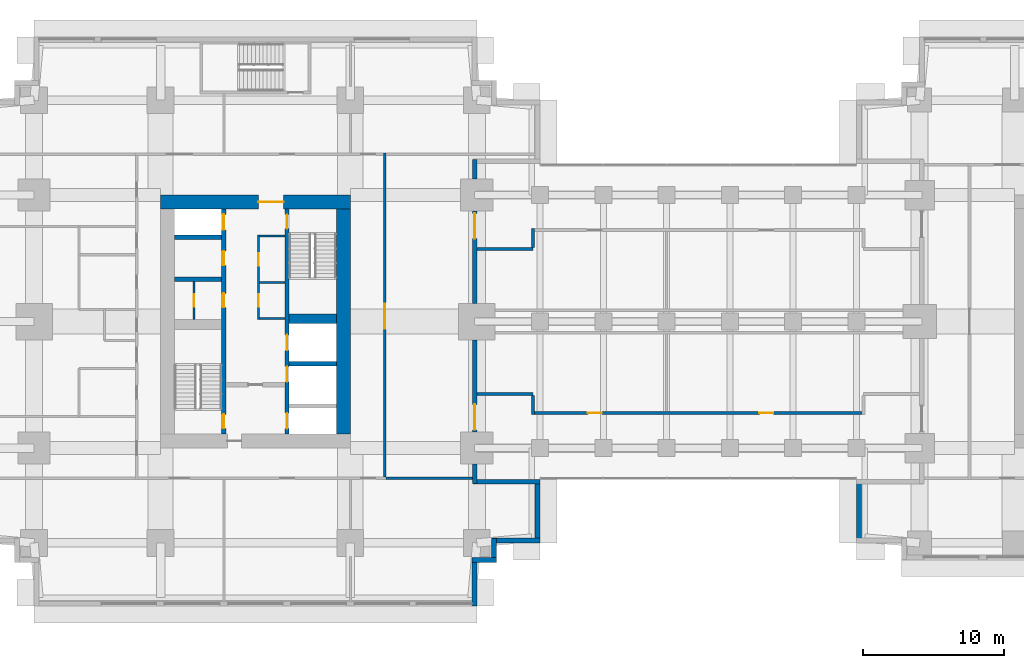
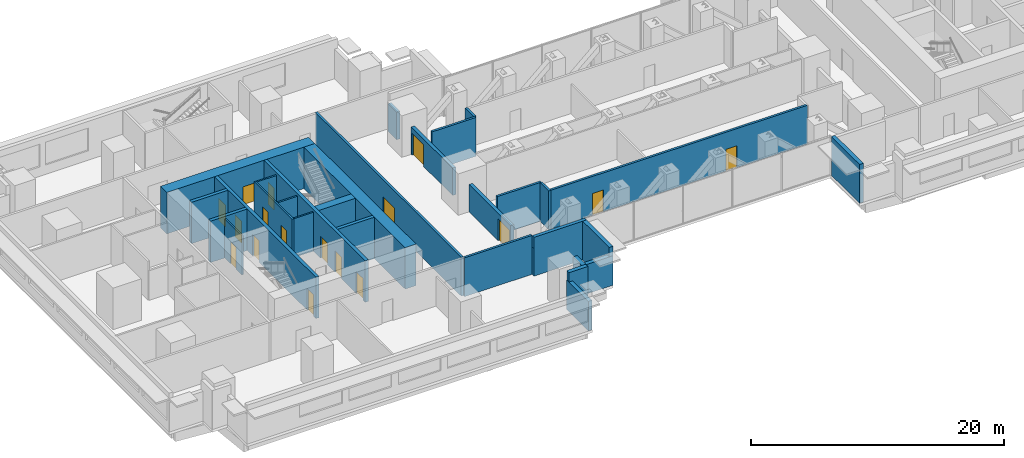
# One storey, part 8 of 16: 31 walls, 17 doors, 17 openings.
"""IFC4 building model written with IfcOpenShell, lengths in metres."""

from ifc_helpers import new_model, si_unit, direction, frame, frame_2d, origin, place, context, subcontext, project, spatial, rectangle, extrude, material, layer, layer_set, type_object, element, fill, save


model = new_model("IFC4")

# Units and contexts
model_context = context("Model", 3, precision=1e-05, world=origin(), true_north=direction((0.0, 1.0)))
body_context = subcontext(model_context, "Body", "Model", "MODEL_VIEW")
ifc_project = project(units=[si_unit("LENGTHUNIT", "METRE"), si_unit("AREAUNIT", "SQUARE_METRE"), si_unit("VOLUMEUNIT", "CUBIC_METRE"), si_unit("PLANEANGLEUNIT", "RADIAN"), si_unit("MASSUNIT", "GRAM", prefix="KILO")], contexts=[model_context])

# Site, building, storey
site_placement = place(None, origin())
site = spatial("IfcSite", under=ifc_project, at=site_placement, CompositionType="ELEMENT")
building_placement = place(site_placement, origin())
building = spatial("IfcBuilding", under=site, at=building_placement, Name="Namib Vertical Campus", CompositionType="ELEMENT")
storey_placement = place(building_placement, frame((0.0, 0.0, 117.0)))
storey = spatial("IfcBuildingStorey", under=building, at=storey_placement, Name="L27", CompositionType="ELEMENT", Elevation=117.0)

# Wall, openings, doors
ifc_material_1 = material(Name="Concrete C60/75", Category="concrete")
ifc_layer_1 = layer(ifc_material_1, 0.300048828125)
ifc_layer_set_1 = layer_set([ifc_layer_1], Name="Concrete C60/75")
wall_type_1 = type_object("IfcWallType", Name="Core inner wall 300", PredefinedType="SHEAR", material=ifc_layer_set_1)
wall_1_placement = place(storey_placement, frame((18.0, 12.25, 0.0), z_axis=(0.0, 0.0, 1.0), x_axis=(0.0, 1.0, 0.0)))
wall_1 = element("IfcWall", 1, at=wall_1_placement, inside=storey, type_object=wall_type_1, Name="Core inner wall A L27 W1", PredefinedType="SHEAR", context=body_context, shape_type="SweptSolid", body=[
    extrude(rectangle(XDim=16.0, YDim=0.300048828125, at=frame_2d((8.0, 0.0))), origin(), (0.0, 0.0, 1.0), 4.0),
])
opening_1_placement = place(wall_1_placement, frame((0.39990234375, 0.0, 0.0)))
opening_1 = element("IfcOpeningElement", 2, at=opening_1_placement, cuts=wall_1, Name="Opening FD1", PredefinedType="OPENING", context=body_context, shape_type="SweptSolid", body=[
    extrude(rectangle(XDim=1.0, YDim=2.10009765625, at=frame_2d((0.5, 1.050048828125))), frame((0.0, 0.159912109375, 0.0), z_axis=(0.0, -1.0, 0.0), x_axis=(1.0, 0.0, 0.0)), (0.0, 0.0, 1.0), 0.320068359375),
])
opening_2_placement = place(wall_1_placement, frame((14.52490234375, 0.0, 0.0)))
opening_2 = element("IfcOpeningElement", 3, at=opening_2_placement, cuts=wall_1, Name="Opening LD1", PredefinedType="OPENING", context=body_context, shape_type="SweptSolid", body=[
    extrude(rectangle(XDim=1.10009765625, YDim=2.10009765625, at=frame_2d((0.550048828125, 1.050048828125))), frame((0.0, 0.159912109375, 0.0), z_axis=(0.0, -1.0, 0.0), x_axis=(1.0, 0.0, 0.0)), (0.0, 0.0, 1.0), 0.320068359375),
])
opening_3_placement = place(wall_1_placement, frame((9.0, 0.0, 0.0)))
opening_3 = element("IfcOpeningElement", 4, at=opening_3_placement, cuts=wall_1, Name="Opening D1", PredefinedType="OPENING", context=body_context, shape_type="SweptSolid", body=[
    extrude(rectangle(XDim=1.0, YDim=2.10009765625, at=frame_2d((0.5, 1.050048828125))), frame((0.0, 0.159912109375, 0.0), z_axis=(0.0, -1.0, 0.0), x_axis=(1.0, 0.0, 0.0)), (0.0, 0.0, 1.0), 0.320068359375),
])
opening_4_placement = place(wall_1_placement, frame((12.0, 0.0, 0.0)))
opening_4 = element("IfcOpeningElement", 5, at=opening_4_placement, cuts=wall_1, Name="Opening D1", PredefinedType="OPENING", context=body_context, shape_type="SweptSolid", body=[
    extrude(rectangle(XDim=1.0, YDim=2.10009765625, at=frame_2d((0.5, 1.050048828125))), frame((0.0, 0.159912109375, 0.0), z_axis=(0.0, -1.0, 0.0), x_axis=(1.0, 0.0, 0.0)), (0.0, 0.0, 1.0), 0.320068359375),
])
ifc_material_2 = material(Name="Timber door leaf", Category="wood")
door_type_1 = type_object("IfcDoorType", Name="Door single 1000x2100", OperationType="SINGLE_SWING_LEFT", PredefinedType="DOOR", material=ifc_material_2)
door_1_placement = place(opening_3_placement, origin())
door_1 = element("IfcDoor", 6, at=door_1_placement, inside=storey, type_object=door_type_1, Name="Door D1 Store A L27 P1", OperationType="SINGLE_SWING_LEFT", OverallHeight=2.10009765625, OverallWidth=1.0, PredefinedType="DOOR", context=body_context, shape_type="SweptSolid", body=[
    extrude(rectangle(XDim=1.0, YDim=2.10009765625, at=frame_2d((0.5, 1.050048828125))), frame((0.0, 0.02490234375, 0.0), z_axis=(0.0, -1.0, 0.0), x_axis=(1.0, 0.0, 0.0)), (0.0, 0.0, 1.0), 0.050048828125),
])
fill(opening_3, door_1)
door_2_placement = place(opening_4_placement, origin())
door_2 = element("IfcDoor", 7, at=door_2_placement, inside=storey, type_object=door_type_1, Name="Door D1 Cleaners' store A L27 P2", OperationType="SINGLE_SWING_LEFT", OverallHeight=2.10009765625, OverallWidth=1.0, PredefinedType="DOOR", context=body_context, shape_type="SweptSolid", body=[
    extrude(rectangle(XDim=1.0, YDim=2.10009765625, at=frame_2d((0.5, 1.050048828125))), frame((0.0, 0.02490234375, 0.0), z_axis=(0.0, -1.0, 0.0), x_axis=(1.0, 0.0, 0.0)), (0.0, 0.0, 1.0), 0.050048828125),
])
fill(opening_4, door_2)
ifc_material_3 = material(Name="Steel fire door", Category="steel")
door_type_2 = type_object("IfcDoorType", Name="Fire door 1000x2100", OperationType="SINGLE_SWING_RIGHT", PredefinedType="DOOR", material=ifc_material_3)
door_3_placement = place(opening_1_placement, origin())
door_3 = element("IfcDoor", 8, at=door_3_placement, inside=storey, type_object=door_type_2, Name="Stair door FD1 A L27 S1", OperationType="SINGLE_SWING_LEFT", OverallHeight=2.10009765625, OverallWidth=1.0, PredefinedType="DOOR", context=body_context, shape_type="SweptSolid", body=[
    extrude(rectangle(XDim=1.0, YDim=2.10009765625, at=frame_2d((0.5, 1.050048828125))), frame((0.0, 0.02490234375, 0.0), z_axis=(0.0, -1.0, 0.0), x_axis=(1.0, 0.0, 0.0)), (0.0, 0.0, 1.0), 0.050048828125),
])
fill(opening_1, door_3)
ifc_material_4 = material(Name="Stainless steel lift door", Category="steel")
door_type_3 = type_object("IfcDoorType", Name="Lift landing door 1100x2100", OperationType="DOUBLE_DOOR_SLIDING", PredefinedType="DOOR", material=ifc_material_4)
door_4_placement = place(opening_2_placement, origin())
door_4 = element("IfcDoor", 9, at=door_4_placement, inside=storey, type_object=door_type_3, Name="Lift landing door LD1 A-P3 L27", OperationType="DOUBLE_DOOR_SLIDING", OverallHeight=2.10009765625, OverallWidth=1.10009765625, PredefinedType="DOOR", context=body_context, shape_type="SweptSolid", body=[
    extrude(rectangle(XDim=1.10009765625, YDim=2.10009765625, at=frame_2d((0.550048828125, 1.050048828125))), frame((0.0, 0.02490234375, 0.0), z_axis=(0.0, -1.0, 0.0), x_axis=(1.0, 0.0, 0.0)), (0.0, 0.0, 1.0), 0.050048828125),
])
fill(opening_2, door_4)

wall_2_placement = place(storey_placement, frame((22.5, 12.25, 0.0), z_axis=(0.0, 0.0, 1.0), x_axis=(0.0, 1.0, 0.0)))
wall_2 = element("IfcWall", 10, at=wall_2_placement, inside=storey, type_object=wall_type_1, Name="Core inner wall A L27 W2", PredefinedType="SHEAR", context=body_context, shape_type="SweptSolid", body=[
    extrude(rectangle(XDim=16.0, YDim=0.300048828125, at=frame_2d((8.0, 0.0))), origin(), (0.0, 0.0, 1.0), 4.0),
])
opening_5_placement = place(wall_2_placement, frame((14.60009765625, 0.0, 0.0)))
opening_5 = element("IfcOpeningElement", 11, at=opening_5_placement, cuts=wall_2, Name="Opening FD1", PredefinedType="OPENING", context=body_context, shape_type="SweptSolid", body=[
    extrude(rectangle(XDim=1.0, YDim=2.10009765625, at=frame_2d((0.5, 1.050048828125))), frame((0.0, 0.159912109375, 0.0), z_axis=(0.0, -1.0, 0.0), x_axis=(1.0, 0.0, 0.0)), (0.0, 0.0, 1.0), 0.320068359375),
])
opening_6_placement = place(wall_2_placement, frame((0.375, 0.0, 0.0)))
opening_6 = element("IfcOpeningElement", 12, at=opening_6_placement, cuts=wall_2, Name="Opening LD1", PredefinedType="OPENING", context=body_context, shape_type="SweptSolid", body=[
    extrude(rectangle(XDim=1.10009765625, YDim=2.10009765625, at=frame_2d((0.550048828125, 1.050048828125))), frame((0.0, 0.159912109375, 0.0), z_axis=(0.0, -1.0, 0.0), x_axis=(1.0, 0.0, 0.0)), (0.0, 0.0, 1.0), 0.320068359375),
])
opening_7_placement = place(wall_2_placement, frame((3.699951171875, 0.0, 0.0)))
opening_7 = element("IfcOpeningElement", 13, at=opening_7_placement, cuts=wall_2, Name="Opening LD1", PredefinedType="OPENING", context=body_context, shape_type="SweptSolid", body=[
    extrude(rectangle(XDim=1.10009765625, YDim=2.10009765625, at=frame_2d((0.550048828125, 1.050048828125))), frame((0.0, 0.159912109375, 0.0), z_axis=(0.0, -1.0, 0.0), x_axis=(1.0, 0.0, 0.0)), (0.0, 0.0, 1.0), 0.320068359375),
])
opening_8_placement = place(wall_2_placement, frame((5.949951171875, 0.0, 0.0)))
opening_8 = element("IfcOpeningElement", 14, at=opening_8_placement, cuts=wall_2, Name="Opening LD1", PredefinedType="OPENING", context=body_context, shape_type="SweptSolid", body=[
    extrude(rectangle(XDim=1.10009765625, YDim=2.10009765625, at=frame_2d((0.550048828125, 1.050048828125))), frame((0.0, 0.159912109375, 0.0), z_axis=(0.0, -1.0, 0.0), x_axis=(1.0, 0.0, 0.0)), (0.0, 0.0, 1.0), 0.320068359375),
])
door_5_placement = place(opening_5_placement, frame((1.0, 0.0, 0.0), z_axis=(0.0, 0.0, 1.0), x_axis=(-1.0, 0.0, 0.0)))
door_5 = element("IfcDoor", 15, at=door_5_placement, inside=storey, type_object=door_type_2, Name="Stair door FD1 A L27 S2", OperationType="SINGLE_SWING_LEFT", OverallHeight=2.10009765625, OverallWidth=1.0, PredefinedType="DOOR", context=body_context, shape_type="SweptSolid", body=[
    extrude(rectangle(XDim=1.0, YDim=2.10009765625, at=frame_2d((0.5, 1.050048828125))), frame((0.0, 0.02490234375, 0.0), z_axis=(0.0, -1.0, 0.0), x_axis=(1.0, 0.0, 0.0)), (0.0, 0.0, 1.0), 0.050048828125),
])
fill(opening_5, door_5)
door_6_placement = place(opening_6_placement, origin())
door_6 = element("IfcDoor", 16, at=door_6_placement, inside=storey, type_object=door_type_3, Name="Lift landing door LD1 A-FL1 L27", OperationType="DOUBLE_DOOR_SLIDING", OverallHeight=2.10009765625, OverallWidth=1.10009765625, PredefinedType="DOOR", context=body_context, shape_type="SweptSolid", body=[
    extrude(rectangle(XDim=1.10009765625, YDim=2.10009765625, at=frame_2d((0.550048828125, 1.050048828125))), frame((0.0, 0.02490234375, 0.0), z_axis=(0.0, -1.0, 0.0), x_axis=(1.0, 0.0, 0.0)), (0.0, 0.0, 1.0), 0.050048828125),
])
fill(opening_6, door_6)
door_7_placement = place(opening_7_placement, origin())
door_7 = element("IfcDoor", 17, at=door_7_placement, inside=storey, type_object=door_type_3, Name="Lift landing door LD1 A-P4 L27", OperationType="DOUBLE_DOOR_SLIDING", OverallHeight=2.10009765625, OverallWidth=1.10009765625, PredefinedType="DOOR", context=body_context, shape_type="SweptSolid", body=[
    extrude(rectangle(XDim=1.10009765625, YDim=2.10009765625, at=frame_2d((0.550048828125, 1.050048828125))), frame((0.0, 0.02490234375, 0.0), z_axis=(0.0, -1.0, 0.0), x_axis=(1.0, 0.0, 0.0)), (0.0, 0.0, 1.0), 0.050048828125),
])
fill(opening_7, door_7)
door_8_placement = place(opening_8_placement, origin())
door_8 = element("IfcDoor", 18, at=door_8_placement, inside=storey, type_object=door_type_3, Name="Lift landing door LD1 A-P5 L27", OperationType="DOUBLE_DOOR_SLIDING", OverallHeight=2.10009765625, OverallWidth=1.10009765625, PredefinedType="DOOR", context=body_context, shape_type="SweptSolid", body=[
    extrude(rectangle(XDim=1.10009765625, YDim=2.10009765625, at=frame_2d((0.550048828125, 1.050048828125))), frame((0.0, 0.02490234375, 0.0), z_axis=(0.0, -1.0, 0.0), x_axis=(1.0, 0.0, 0.0)), (0.0, 0.0, 1.0), 0.050048828125),
])
fill(opening_8, door_8)

# Walls
for number, where, z_axis, x_axis, name in (
    (19, (22.64990234375, 17.25, 0.0), (0.0, 0.0, 1.0), (1.0, 0.0, 0.0), "Core inner wall A L27 W6"),
    (20, (14.5, 23.25, 0.0), (0.0, 0.0, 1.0), (1.0, 0.0, 0.0), "Core inner wall A L27 W8"),
    (21, (14.5, 26.25, 0.0), (0.0, 0.0, 1.0), (1.0, 0.0, 0.0), "Core inner wall A L27 W9"),
):
    element("IfcWall", number, at=place(storey_placement, frame(where, z_axis=z_axis, x_axis=x_axis)), inside=storey, type_object=wall_type_1, Name=name, PredefinedType="SHEAR", context=body_context, shape_type="SweptSolid", body=[
        extrude(rectangle(XDim=3.35009765625, YDim=0.300048828125, at=frame_2d((1.675048828125, 0.0))), origin(), (0.0, 0.0, 1.0), 4.0),
    ])
ifc_material_5 = material(Name="Concrete C60/75", Category="concrete")
ifc_layer_2 = layer(ifc_material_5, 0.699951171875)
ifc_layer_set_2 = layer_set([ifc_layer_2], Name="Concrete C60/75")
wall_type_2 = type_object("IfcWallType", Name="Core shear wall 700", PredefinedType="SHEAR", material=ifc_layer_set_2)
wall_3_placement = place(storey_placement, frame((22.64990234375, 20.449951171875, 0.0), z_axis=(0.0, 0.0, 1.0), x_axis=(1.0, 0.0, 0.0)))
element("IfcWall", 22, at=wall_3_placement, inside=storey, type_object=wall_type_2, Name="Core shear wall A L27 W7", PredefinedType="SHEAR", context=body_context, shape_type="SweptSolid", body=[
    extrude(rectangle(XDim=3.35009765625, YDim=0.699951171875, at=frame_2d((1.675048828125, 0.0))), origin(), (0.0, 0.0, 1.0), 4.0),
])
ifc_material_6 = material(Name="Concrete C60/75", Category="concrete")
ifc_layer_3 = layer(ifc_material_6, 1.0)
ifc_layer_set_3 = layer_set([ifc_layer_3], Name="Concrete C60/75")
wall_type_3 = type_object("IfcWallType", Name="Core wall 1000", PredefinedType="SHEAR", material=ifc_layer_set_3)
wall_4_placement = place(storey_placement, frame((26.5, 12.25, 0.0), z_axis=(0.0, 0.0, 1.0), x_axis=(0.0, 1.0, 0.0)))
element("IfcWall", 23, at=wall_4_placement, inside=storey, type_object=wall_type_3, Name="Core wall A L27 2", PredefinedType="SHEAR", context=body_context, shape_type="SweptSolid", body=[
    extrude(rectangle(XDim=16.0, YDim=1.0, at=frame_2d((8.0, 0.0))), origin(), (0.0, 0.0, 1.0), 4.0),
])

# Wall, opening, door
wall_5_placement = place(storey_placement, frame((27.0, 28.75, 0.0), z_axis=(0.0, 0.0, 1.0), x_axis=(-1.0, 0.0, 0.0)))
wall_5 = element("IfcWall", 24, at=wall_5_placement, inside=storey, type_object=wall_type_3, Name="Core wall A L27 3", PredefinedType="SHEAR", context=body_context, shape_type="SweptSolid", body=[
    extrude(rectangle(XDim=13.5, YDim=1.0, at=frame_2d((6.75, 0.0))), origin(), (0.0, 0.0, 1.0), 4.0),
])
opening_9_placement = place(wall_5_placement, frame((4.75, 0.0, 0.0)))
opening_9 = element("IfcOpeningElement", 25, at=opening_9_placement, cuts=wall_5, Name="Opening FD2", PredefinedType="OPENING", context=body_context, shape_type="SweptSolid", body=[
    extrude(rectangle(XDim=1.800048828125, YDim=2.10009765625, at=frame_2d((0.89990234375, 1.050048828125))), frame((0.0, 0.510009765625, 0.0), z_axis=(0.0, -1.0, 0.0), x_axis=(1.0, 0.0, 0.0)), (0.0, 0.0, 1.0), 1.02001953125),
])
ifc_material_7 = material(Name="Steel fire door", Category="steel")
door_type_4 = type_object("IfcDoorType", Name="Fire door double 1800x2100", OperationType="DOUBLE_DOOR_SINGLE_SWING", PredefinedType="DOOR", material=ifc_material_7)
door_9_placement = place(opening_9_placement, origin())
door_9 = element("IfcDoor", 26, at=door_9_placement, inside=storey, type_object=door_type_4, Name="Lift lobby door FD2 A L27", OperationType="DOUBLE_DOOR_SINGLE_SWING", OverallHeight=2.10009765625, OverallWidth=1.800048828125, PredefinedType="DOOR", context=body_context, shape_type="SweptSolid", body=[
    extrude(rectangle(XDim=1.800048828125, YDim=2.10009765625, at=frame_2d((0.89990234375, 1.050048828125))), frame((0.0, 0.02490234375, 0.0), z_axis=(0.0, -1.0, 0.0), x_axis=(1.0, 0.0, 0.0)), (0.0, 0.0, 1.0), 0.050048828125),
])
fill(opening_9, door_9)

ifc_material_8 = material(Name="Concrete masonry", Category="masonry")
ifc_layer_4 = layer(ifc_material_8, 0.199951171875)
ifc_layer_set_4 = layer_set([ifc_layer_4], Name="Corridor wall 200")
wall_type_4 = type_object("IfcWallType", Name="Corridor wall 200", PredefinedType="SOLIDWALL", material=ifc_layer_set_4)
wall_6_placement = place(storey_placement, frame((29.449951171875, 9.199951171875, 0.0), z_axis=(0.0, 0.0, 1.0), x_axis=(0.0, 1.0, 0.0)))
wall_6 = element("IfcWall", 27, at=wall_6_placement, inside=storey, type_object=wall_type_4, Name="Corridor wall A L27 CE", PredefinedType="SOLIDWALL", context=body_context, shape_type="SweptSolid", body=[
    extrude(rectangle(XDim=23.050048828125, YDim=0.199951171875, at=frame_2d((11.52490234375, 0.0))), origin(), (0.0, 0.0, 1.0), 3.75),
])
opening_10_placement = place(wall_6_placement, frame((10.52490234375, 0.0, 0.0)))
opening_10 = element("IfcOpeningElement", 28, at=opening_10_placement, cuts=wall_6, Name="Opening FD2", PredefinedType="OPENING", context=body_context, shape_type="SweptSolid", body=[
    extrude(rectangle(XDim=1.800048828125, YDim=2.10009765625, at=frame_2d((0.89990234375, 1.050048828125))), frame((0.0, 0.10986328125, 0.0), z_axis=(0.0, -1.0, 0.0), x_axis=(1.0, 0.0, 0.0)), (0.0, 0.0, 1.0), 0.219970703125),
])
door_10_placement = place(opening_10_placement, origin())
door_10 = element("IfcDoor", 29, at=door_10_placement, inside=storey, type_object=door_type_4, Name="Door FD2 A27-04", OperationType="DOUBLE_DOOR_SINGLE_SWING", OverallHeight=2.10009765625, OverallWidth=1.800048828125, PredefinedType="DOOR", context=body_context, shape_type="SweptSolid", body=[
    extrude(rectangle(XDim=1.800048828125, YDim=2.10009765625, at=frame_2d((0.89990234375, 1.050048828125))), frame((0.0, 0.02490234375, 0.0), z_axis=(0.0, -1.0, 0.0), x_axis=(1.0, 0.0, 0.0)), (0.0, 0.0, 1.0), 0.050048828125),
])
fill(opening_10, door_10)

# Wall
wall_7_placement = place(storey_placement, frame((29.550048828125, 9.10009765625, 0.0), z_axis=(0.0, 0.0, 1.0), x_axis=(1.0, 0.0, 0.0)))
element("IfcWall", 30, at=wall_7_placement, inside=storey, type_object=wall_type_4, Name="Partition A L27 BSE", PredefinedType="SOLIDWALL", context=body_context, shape_type="SweptSolid", body=[
    extrude(rectangle(XDim=6.14990234375, YDim=0.199951171875, at=frame_2d((3.074951171875, 0.0))), origin(), (0.0, 0.0, 1.0), 3.75),
])

# Wall, openings, doors
wall_8_placement = place(storey_placement, frame((40.0, 13.75, 0.0), z_axis=(0.0, 0.0, 1.0), x_axis=(1.0, 0.0, 0.0)))
wall_8 = element("IfcWall", 31, at=wall_8_placement, inside=storey, type_object=wall_type_4, Name="Corridor wall L27", PredefinedType="SOLIDWALL", context=body_context, shape_type="SweptSolid", body=[
    extrude(rectangle(XDim=23.5, YDim=0.199951171875, at=frame_2d((11.75, 0.0))), origin(), (0.0, 0.0, 1.0), 3.75),
])
opening_11_placement = place(wall_8_placement, frame((3.89990234375, 0.0, 0.0)))
opening_11 = element("IfcOpeningElement", 32, at=opening_11_placement, cuts=wall_8, Name="Opening CD1", PredefinedType="OPENING", context=body_context, shape_type="SweptSolid", body=[
    extrude(rectangle(XDim=1.0, YDim=2.10009765625, at=frame_2d((0.5, 1.050048828125))), frame((0.0, 0.10986328125, 0.0), z_axis=(0.0, -1.0, 0.0), x_axis=(1.0, 0.0, 0.0)), (0.0, 0.0, 1.0), 0.219970703125),
])
opening_12_placement = place(wall_8_placement, frame((16.10009765625, 0.0, 0.0)))
opening_12 = element("IfcOpeningElement", 33, at=opening_12_placement, cuts=wall_8, Name="Opening CD1", PredefinedType="OPENING", context=body_context, shape_type="SweptSolid", body=[
    extrude(rectangle(XDim=1.0, YDim=2.10009765625, at=frame_2d((0.5, 1.050048828125))), frame((0.0, 0.10986328125, 0.0), z_axis=(0.0, -1.0, 0.0), x_axis=(1.0, 0.0, 0.0)), (0.0, 0.0, 1.0), 0.219970703125),
])
ifc_material_9 = material(Name="Timber fire door leaf", Category="wood")
door_type_5 = type_object("IfcDoorType", Name="Corridor door 1000x2100 20 min", OperationType="SINGLE_SWING_LEFT", PredefinedType="DOOR", material=ifc_material_9)
door_11_placement = place(opening_11_placement, origin())
door_11 = element("IfcDoor", 34, at=door_11_placement, inside=storey, type_object=door_type_5, Name="Door CD1 BR27-03", OperationType="SINGLE_SWING_LEFT", OverallHeight=2.10009765625, OverallWidth=1.0, PredefinedType="DOOR", context=body_context, shape_type="SweptSolid", body=[
    extrude(rectangle(XDim=1.0, YDim=2.10009765625, at=frame_2d((0.5, 1.050048828125))), frame((0.0, 0.02490234375, 0.0), z_axis=(0.0, -1.0, 0.0), x_axis=(1.0, 0.0, 0.0)), (0.0, 0.0, 1.0), 0.050048828125),
])
fill(opening_11, door_11)
door_12_placement = place(opening_12_placement, origin())
door_12 = element("IfcDoor", 35, at=door_12_placement, inside=storey, type_object=door_type_5, Name="Door CD1 BR27-04", OperationType="SINGLE_SWING_RIGHT", OverallHeight=2.10009765625, OverallWidth=1.0, PredefinedType="DOOR", context=body_context, shape_type="SweptSolid", body=[
    extrude(rectangle(XDim=1.0, YDim=2.10009765625, at=frame_2d((0.5, 1.050048828125))), frame((0.0, 0.02490234375, 0.0), z_axis=(0.0, -1.0, 0.0), x_axis=(1.0, 0.0, 0.0)), (0.0, 0.0, 1.0), 0.050048828125),
])
fill(opening_12, door_12)

# Walls
wall_9_placement = place(storey_placement, frame((36.0, 15.10009765625, 0.0), z_axis=(0.0, 0.0, 1.0), x_axis=(1.0, 0.0, 0.0)))
element("IfcWall", 36, at=wall_9_placement, inside=storey, type_object=wall_type_4, Name="Lobby wall L27 W", PredefinedType="SOLIDWALL", context=body_context, shape_type="SweptSolid", body=[
    extrude(rectangle(XDim=4.0, YDim=0.199951171875, at=frame_2d((2.0, 0.0))), origin(), (0.0, 0.0, 1.0), 3.75),
])
wall_10_placement = place(storey_placement, frame((40.0, 13.64990234375, 0.0), z_axis=(0.0, 0.0, 1.0), x_axis=(0.0, 1.0, 0.0)))
element("IfcWall", 37, at=wall_10_placement, inside=storey, type_object=wall_type_4, Name="Lobby side wall L27 W", PredefinedType="SOLIDWALL", context=body_context, shape_type="SweptSolid", body=[
    extrude(rectangle(XDim=1.35009765625, YDim=0.199951171875, at=frame_2d((0.675048828125, 0.0))), origin(), (0.0, 0.0, 1.0), 3.75),
])
wall_11_placement = place(storey_placement, frame((36.0, 25.39990234375, 0.0), z_axis=(0.0, 0.0, 1.0), x_axis=(1.0, 0.0, 0.0)))
element("IfcWall", 38, at=wall_11_placement, inside=storey, type_object=wall_type_4, Name="Lobby wall L27 NW", PredefinedType="SOLIDWALL", context=body_context, shape_type="SweptSolid", body=[
    extrude(rectangle(XDim=4.0, YDim=0.199951171875, at=frame_2d((2.0, 0.0))), origin(), (0.0, 0.0, 1.0), 3.75),
])
wall_12_placement = place(storey_placement, frame((40.0, 26.85009765625, 0.0), z_axis=(0.0, 0.0, 1.0), x_axis=(0.0, -1.0, 0.0)))
element("IfcWall", 39, at=wall_12_placement, inside=storey, type_object=wall_type_4, Name="Lobby side wall L27 NW", PredefinedType="SOLIDWALL", context=body_context, shape_type="SweptSolid", body=[
    extrude(rectangle(XDim=1.35009765625, YDim=0.199951171875, at=frame_2d((0.675048828125, 0.0))), origin(), (0.0, 0.0, 1.0), 3.75),
])
ifc_material_10 = material(Name="Concrete C40/50", Category="concrete")
ifc_layer_5 = layer(ifc_material_10, 0.35009765625)
ifc_layer_set_5 = layer_set([ifc_layer_5], Name="Concrete C40/50")
wall_type_5 = type_object("IfcWallType", Name="External wall 350 bush-hammered concrete", PredefinedType="STANDARD", material=ifc_layer_set_5)
wall_13_placement = place(storey_placement, frame((35.824951171875, 0.02001953125, 0.0), z_axis=(0.0, 0.0, 1.0), x_axis=(0.0, 1.0, 0.0)))
element("IfcWall", 40, at=wall_13_placement, inside=storey, type_object=wall_type_5, Name="External wall L27 F03", PredefinedType="STANDARD", context=body_context, shape_type="SweptSolid", body=[
    extrude(rectangle(XDim=3.409912109375, YDim=0.35009765625, at=frame_2d((1.705078125, 0.0))), origin(), (0.0, 0.0, 1.0), 2.85009765625),
])
for number, where, z_axis, x_axis, name in (
    (41, (35.669921875, 3.27490234375, 0.0), (0.0, 0.0, 1.0), (1.0, 0.0, 0.0), "External wall L27 F04"),
    (42, (37.22509765625, 3.1201171875, 0.0), (0.0, 0.0, 1.0), (0.0, 1.0, 0.0), "External wall L27 F05"),
):
    element("IfcWall", number, at=place(storey_placement, frame(where, z_axis=z_axis, x_axis=x_axis)), inside=storey, type_object=wall_type_5, Name=name, PredefinedType="STANDARD", context=body_context, shape_type="SweptSolid", body=[
        extrude(rectangle(XDim=1.7099609375, YDim=0.35009765625, at=frame_2d((0.85498046875, 0.0))), origin(), (0.0, 0.0, 1.0), 3.75),
    ])
wall_14_placement = place(storey_placement, frame((37.070068359375, 4.675048828125, 0.0), z_axis=(0.0, 0.0, 1.0), x_axis=(1.0, 0.0, 0.0)))
element("IfcWall", 43, at=wall_14_placement, inside=storey, type_object=wall_type_5, Name="External wall L27 F06", PredefinedType="STANDARD", context=body_context, shape_type="SweptSolid", body=[
    extrude(rectangle(XDim=3.409912109375, YDim=0.35009765625, at=frame_2d((1.705078125, 0.0))), origin(), (0.0, 0.0, 1.0), 2.85009765625),
])
for number, where, z_axis, x_axis, name in (
    (44, (40.324951171875, 4.52001953125, 0.0), (0.0, 0.0, 1.0), (0.0, 1.0, 0.0), "External wall L27 F07"),
    (45, (63.175048828125, 8.97998046875, 0.0), (0.0, 0.0, 1.0), (0.0, -1.0, 0.0), "External wall L27 F01"),
):
    element("IfcWall", number, at=place(storey_placement, frame(where, z_axis=z_axis, x_axis=x_axis)), inside=storey, type_object=wall_type_5, Name=name, PredefinedType="STANDARD", context=body_context, shape_type="SweptSolid", body=[
        extrude(rectangle(XDim=4.4599609375, YDim=0.35009765625, at=frame_2d((2.22998046875, 0.0))), origin(), (0.0, 0.0, 1.0), 3.75),
    ])
ifc_material_11 = material(Name="Concrete masonry", Category="masonry")
ifc_layer_6 = layer(ifc_material_11, 0.300048828125)
ifc_layer_set_6 = layer_set([ifc_layer_6], Name="Fire wall 300")
wall_type_6 = type_object("IfcWallType", Name="Fire wall 300", PredefinedType="SOLIDWALL", material=ifc_layer_set_6)
wall_15_placement = place(storey_placement, frame((40.47998046875, 8.85009765625, 0.0), z_axis=(0.0, 0.0, 1.0), x_axis=(-1.0, 0.0, 0.0)))
element("IfcWall", 46, at=wall_15_placement, inside=storey, type_object=wall_type_6, Name="External wall L27 F08", PredefinedType="SOLIDWALL", context=body_context, shape_type="SweptSolid", body=[
    extrude(rectangle(XDim=4.760009765625, YDim=0.300048828125, at=frame_2d((2.3798828125, 0.0))), origin(), (0.0, 0.0, 1.0), 3.75),
])
wall_16_placement = place(storey_placement, frame((35.85009765625, 8.719970703125, 0.0), z_axis=(0.0, 0.0, 1.0), x_axis=(0.0, 1.0, 0.0)))
element("IfcWall", 47, at=wall_16_placement, inside=storey, type_object=wall_type_6, Name="External wall L27 F09", PredefinedType="SOLIDWALL", context=body_context, shape_type="SweptSolid", body=[
    extrude(rectangle(XDim=1.380126953125, YDim=0.300048828125, at=frame_2d((0.68994140625, 0.0))), origin(), (0.0, 0.0, 1.0), 2.64990234375),
])

# Wall, opening, door
wall_17_placement = place(storey_placement, frame((35.85009765625, 12.39990234375, 0.0), z_axis=(0.0, 0.0, 1.0), x_axis=(0.0, 1.0, 0.0)))
wall_17 = element("IfcWall", 48, at=wall_17_placement, inside=storey, type_object=wall_type_6, Name="External wall L27 F09", PredefinedType="SOLIDWALL", context=body_context, shape_type="SweptSolid", body=[
    extrude(rectangle(XDim=6.550048828125, YDim=0.300048828125, at=frame_2d((3.27490234375, 0.0))), origin(), (0.0, 0.0, 1.0), 2.64990234375),
])
opening_13_placement = place(wall_17_placement, frame((0.14990234375, 0.0, 0.0)))
opening_13 = element("IfcOpeningElement", 49, at=opening_13_placement, cuts=wall_17, Name="Opening FD4", PredefinedType="OPENING", context=body_context, shape_type="SweptSolid", body=[
    extrude(rectangle(XDim=1.800048828125, YDim=2.10009765625, at=frame_2d((0.89990234375, 1.050048828125))), frame((0.0, 0.159912109375, 0.0), z_axis=(0.0, -1.0, 0.0), x_axis=(1.0, 0.0, 0.0)), (0.0, 0.0, 1.0), 0.320068359375),
])
ifc_material_12 = material(Name="Steel fire door", Category="steel")
door_type_6 = type_object("IfcDoorType", Name="Fire door double 1800x2100 120 min", OperationType="DOUBLE_DOOR_SINGLE_SWING", PredefinedType="DOOR", material=ifc_material_12)
door_13_placement = place(opening_13_placement, origin())
door_13 = element("IfcDoor", 50, at=door_13_placement, inside=storey, type_object=door_type_6, Name="Bridge fire door FD4 A L27", OperationType="DOUBLE_DOOR_SINGLE_SWING", OverallHeight=2.10009765625, OverallWidth=1.800048828125, PredefinedType="DOOR", context=body_context, shape_type="SweptSolid", body=[
    extrude(rectangle(XDim=1.800048828125, YDim=2.10009765625, at=frame_2d((0.89990234375, 1.050048828125))), frame((0.0, 0.02490234375, 0.0), z_axis=(0.0, -1.0, 0.0), x_axis=(1.0, 0.0, 0.0)), (0.0, 0.0, 1.0), 0.050048828125),
])
fill(opening_13, door_13)

wall_18_placement = place(storey_placement, frame((35.85009765625, 21.550048828125, 0.0), z_axis=(0.0, 0.0, 1.0), x_axis=(0.0, 1.0, 0.0)))
wall_18 = element("IfcWall", 51, at=wall_18_placement, inside=storey, type_object=wall_type_6, Name="External wall L27 F09", PredefinedType="SOLIDWALL", context=body_context, shape_type="SweptSolid", body=[
    extrude(rectangle(XDim=6.550048828125, YDim=0.300048828125, at=frame_2d((3.27490234375, 0.0))), origin(), (0.0, 0.0, 1.0), 2.64990234375),
])
opening_14_placement = place(wall_18_placement, frame((4.60009765625, 0.0, 0.0)))
opening_14 = element("IfcOpeningElement", 52, at=opening_14_placement, cuts=wall_18, Name="Opening FD4", PredefinedType="OPENING", context=body_context, shape_type="SweptSolid", body=[
    extrude(rectangle(XDim=1.800048828125, YDim=2.10009765625, at=frame_2d((0.89990234375, 1.050048828125))), frame((0.0, 0.159912109375, 0.0), z_axis=(0.0, -1.0, 0.0), x_axis=(1.0, 0.0, 0.0)), (0.0, 0.0, 1.0), 0.320068359375),
])
door_14_placement = place(opening_14_placement, origin())
door_14 = element("IfcDoor", 53, at=door_14_placement, inside=storey, type_object=door_type_6, Name="Bridge fire door FD4 A L27 north", OperationType="DOUBLE_DOOR_SINGLE_SWING", OverallHeight=2.10009765625, OverallWidth=1.800048828125, PredefinedType="DOOR", context=body_context, shape_type="SweptSolid", body=[
    extrude(rectangle(XDim=1.800048828125, YDim=2.10009765625, at=frame_2d((0.89990234375, 1.050048828125))), frame((0.0, 0.02490234375, 0.0), z_axis=(0.0, -1.0, 0.0), x_axis=(1.0, 0.0, 0.0)), (0.0, 0.0, 1.0), 0.050048828125),
])
fill(opening_14, door_14)

# Wall
wall_19_placement = place(storey_placement, frame((35.85009765625, 30.39990234375, 0.0), z_axis=(0.0, 0.0, 1.0), x_axis=(0.0, 1.0, 0.0)))
element("IfcWall", 54, at=wall_19_placement, inside=storey, type_object=wall_type_6, Name="External wall L27 F09", PredefinedType="SOLIDWALL", context=body_context, shape_type="SweptSolid", body=[
    extrude(rectangle(XDim=1.380126953125, YDim=0.300048828125, at=frame_2d((0.68994140625, 0.0))), origin(), (0.0, 0.0, 1.0), 2.64990234375),
])

# Wall, openings, doors
ifc_material_13 = material(Name="Gypsum board on steel studs", Category="steel")
ifc_layer_7 = layer(ifc_material_13, 0.14990234375)
ifc_layer_set_7 = layer_set([ifc_layer_7], Name="Gypsum board on steel studs")
wall_type_7 = type_object("IfcWallType", Name="Partition 150", PredefinedType="PARTITIONING", material=ifc_layer_set_7)
wall_20_placement = place(storey_placement, frame((20.47509765625, 20.39990234375, 0.0), z_axis=(0.0, 0.0, 1.0), x_axis=(0.0, 1.0, 0.0)))
wall_20 = element("IfcWall", 55, at=wall_20_placement, inside=storey, type_object=wall_type_7, Name="Partition A L27 Comms room and Store front", PredefinedType="PARTITIONING", context=body_context, shape_type="SweptSolid", body=[
    extrude(rectangle(XDim=6.0, YDim=0.14990234375, at=frame_2d((3.0, 0.0))), origin(), (0.0, 0.0, 1.0), 3.75),
])
opening_15_placement = place(wall_20_placement, frame((0.89990234375, 0.0, 0.0)))
opening_15 = element("IfcOpeningElement", 56, at=opening_15_placement, cuts=wall_20, Name="Opening D3", PredefinedType="OPENING", context=body_context, shape_type="SweptSolid", body=[
    extrude(rectangle(XDim=0.89990234375, YDim=2.10009765625, at=frame_2d((0.449951171875, 1.050048828125))), frame((0.0, 0.0849609375, 0.0), z_axis=(0.0, -1.0, 0.0), x_axis=(1.0, 0.0, 0.0)), (0.0, 0.0, 1.0), 0.169921875),
])
opening_16_placement = place(wall_20_placement, frame((3.824951171875, 0.0, 0.0)))
opening_16 = element("IfcOpeningElement", 57, at=opening_16_placement, cuts=wall_20, Name="Opening D3", PredefinedType="OPENING", context=body_context, shape_type="SweptSolid", body=[
    extrude(rectangle(XDim=0.89990234375, YDim=2.10009765625, at=frame_2d((0.449951171875, 1.050048828125))), frame((0.0, 0.0849609375, 0.0), z_axis=(0.0, -1.0, 0.0), x_axis=(1.0, 0.0, 0.0)), (0.0, 0.0, 1.0), 0.169921875),
])
ifc_material_14 = material(Name="Timber door leaf", Category="wood")
door_type_7 = type_object("IfcDoorType", Name="Toilet door 900x2100", OperationType="SINGLE_SWING_LEFT", PredefinedType="DOOR", material=ifc_material_14)
door_15_placement = place(opening_15_placement, frame((0.89990234375, 0.0, 0.0), z_axis=(0.0, 0.0, 1.0), x_axis=(-1.0, 0.0, 0.0)))
door_15 = element("IfcDoor", 58, at=door_15_placement, inside=storey, type_object=door_type_7, Name="Door D3 Comms room A L27", OperationType="SINGLE_SWING_RIGHT", OverallHeight=2.10009765625, OverallWidth=0.89990234375, PredefinedType="DOOR", context=body_context, shape_type="SweptSolid", body=[
    extrude(rectangle(XDim=0.89990234375, YDim=2.10009765625, at=frame_2d((0.449951171875, 1.050048828125))), frame((0.0, 0.02490234375, 0.0), z_axis=(0.0, -1.0, 0.0), x_axis=(1.0, 0.0, 0.0)), (0.0, 0.0, 1.0), 0.050048828125),
])
fill(opening_15, door_15)
door_16_placement = place(opening_16_placement, frame((0.89990234375, 0.0, 0.0), z_axis=(0.0, 0.0, 1.0), x_axis=(-1.0, 0.0, 0.0)))
door_16 = element("IfcDoor", 59, at=door_16_placement, inside=storey, type_object=door_type_7, Name="Door D3 Store A L27", OperationType="SINGLE_SWING_RIGHT", OverallHeight=2.10009765625, OverallWidth=0.89990234375, PredefinedType="DOOR", context=body_context, shape_type="SweptSolid", body=[
    extrude(rectangle(XDim=0.89990234375, YDim=2.10009765625, at=frame_2d((0.449951171875, 1.050048828125))), frame((0.0, 0.02490234375, 0.0), z_axis=(0.0, -1.0, 0.0), x_axis=(1.0, 0.0, 0.0)), (0.0, 0.0, 1.0), 0.050048828125),
])
fill(opening_16, door_16)

# Walls
for number, where, z_axis, x_axis, name in (
    (60, (20.550048828125, 20.47509765625, 0.0), (0.0, 0.0, 1.0), (1.0, 0.0, 0.0), "Partition A L27 Comms room and Store end 1"),
    (61, (20.550048828125, 23.02490234375, 0.0), (0.0, 0.0, 1.0), (1.0, 0.0, 0.0), "Partition A L27 Comms room and Store division 2"),
    (62, (20.550048828125, 26.324951171875, 0.0), (0.0, 0.0, 1.0), (1.0, 0.0, 0.0), "Partition A L27 Comms room and Store end 3"),
):
    element("IfcWall", number, at=place(storey_placement, frame(where, z_axis=z_axis, x_axis=x_axis)), inside=storey, type_object=wall_type_7, Name=name, PredefinedType="PARTITIONING", context=body_context, shape_type="SweptSolid", body=[
        extrude(rectangle(XDim=1.800048828125, YDim=0.14990234375, at=frame_2d((0.89990234375, 0.0))), origin(), (0.0, 0.0, 1.0), 3.75),
    ])

# Wall, opening, door
wall_21_placement = place(storey_placement, frame((15.875, 20.39990234375, 0.0), z_axis=(0.0, 0.0, 1.0), x_axis=(0.0, 1.0, 0.0)))
wall_21 = element("IfcWall", 63, at=wall_21_placement, inside=storey, type_object=wall_type_7, Name="Partition A L27 Store P1 back", PredefinedType="PARTITIONING", context=body_context, shape_type="SweptSolid", body=[
    extrude(rectangle(XDim=2.7001953125, YDim=0.14990234375, at=frame_2d((1.35009765625, 0.0))), origin(), (0.0, 0.0, 1.0), 3.75),
])
opening_17_placement = place(wall_21_placement, frame((0.89990234375, 0.0, 0.0)))
opening_17 = element("IfcOpeningElement", 64, at=opening_17_placement, cuts=wall_21, Name="Opening D3", PredefinedType="OPENING", context=body_context, shape_type="SweptSolid", body=[
    extrude(rectangle(XDim=0.89990234375, YDim=2.10009765625, at=frame_2d((0.449951171875, 1.050048828125))), frame((0.0, 0.0849609375, 0.0), z_axis=(0.0, -1.0, 0.0), x_axis=(1.0, 0.0, 0.0)), (0.0, 0.0, 1.0), 0.169921875),
])
door_17_placement = place(opening_17_placement, origin())
door_17 = element("IfcDoor", 65, at=door_17_placement, inside=storey, type_object=door_type_7, Name="Door D3 Store A L27 P1", OperationType="SINGLE_SWING_LEFT", OverallHeight=2.10009765625, OverallWidth=0.89990234375, PredefinedType="DOOR", context=body_context, shape_type="SweptSolid", body=[
    extrude(rectangle(XDim=0.89990234375, YDim=2.10009765625, at=frame_2d((0.449951171875, 1.050048828125))), frame((0.0, 0.02490234375, 0.0), z_axis=(0.0, -1.0, 0.0), x_axis=(1.0, 0.0, 0.0)), (0.0, 0.0, 1.0), 0.050048828125),
])
fill(opening_17, door_17)

save(model, "model.ifc")
